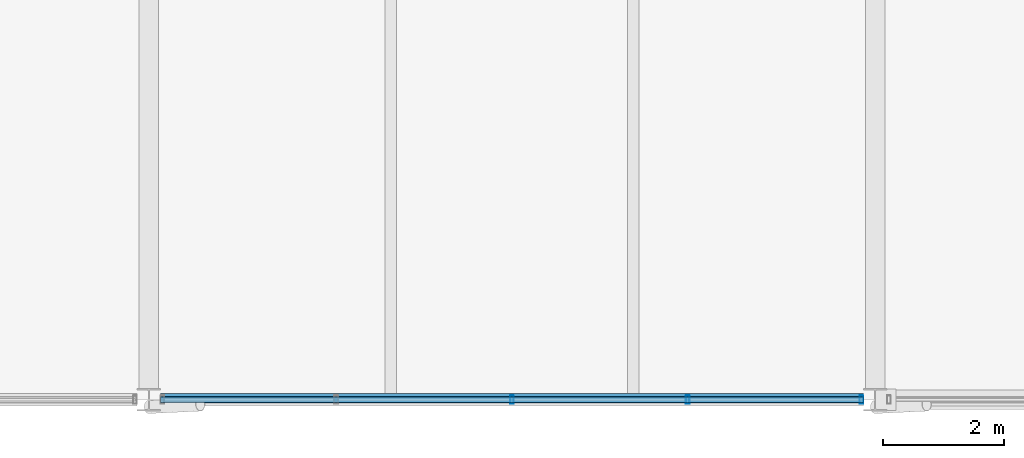
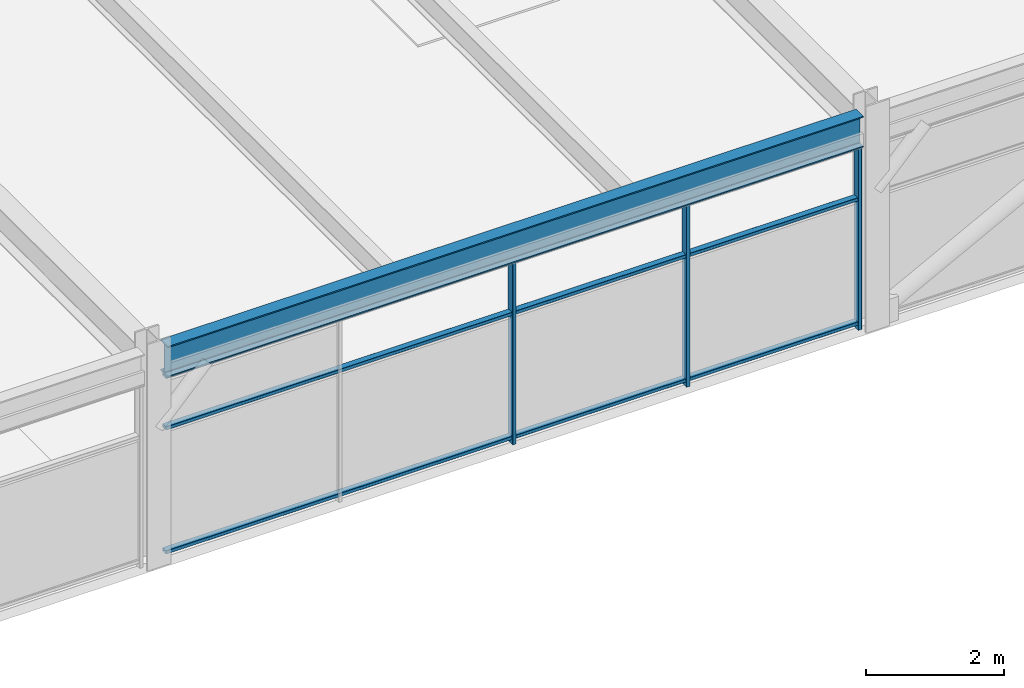
# One storey, part 31 of 52: 6 members, 1 beam, 1 element without a shape of its own.
"""IFC4 building model written with IfcOpenShell, lengths in metres."""

from ifc_helpers import new_model, si_unit, direction, frame, origin, origin_2d, place, context, subcontext, project, spatial, hollow_rectangle, i_section, extrude, material, material_profile, profile_set, type_object, element, aggregate, save


model = new_model("IFC4")

# Units and contexts
model_context = context("Model", 3, precision=1e-05, world=origin(), true_north=direction((0.0, 1.0)))
body_context = subcontext(model_context, "Body", "Model", "MODEL_VIEW")
ifc_project = project(units=[si_unit("LENGTHUNIT", "METRE"), si_unit("AREAUNIT", "SQUARE_METRE"), si_unit("VOLUMEUNIT", "CUBIC_METRE"), si_unit("PLANEANGLEUNIT", "RADIAN"), si_unit("MASSUNIT", "GRAM", prefix="KILO")], contexts=[model_context])

# Site, building, storey
site_placement = place(None, origin())
site = spatial("IfcSite", under=ifc_project, at=site_placement, CompositionType="ELEMENT")
building_placement = place(site_placement, origin())
building = spatial("IfcBuilding", under=site, at=building_placement, Name="Girod Span Mobility Hub", CompositionType="ELEMENT")
storey_placement = place(building_placement, frame((0.0, 0.0, 45.60009765625)))
storey = spatial("IfcBuildingStorey", under=building, at=storey_placement, Name="L11", CompositionType="ELEMENT", Elevation=45.60009765625)

# Beam
ifc_material_1 = material(Name="Steel A992 Grade 50", Category="steel")
ifc_material_profile_1 = material_profile(ifc_material_1, i_section(OverallWidth=0.2119140625, OverallDepth=0.5439453125, WebThickness=0.01318359375, FlangeThickness=0.021240234375, FilletRadius=0.014892578125, at=origin_2d()), Name="W21X83")
ifc_profile_set_1 = profile_set([ifc_material_profile_1], Name="Steel A992 Grade 50")
beam_type = type_object("IfcBeamType", Name="BM-STL-W21X83", PredefinedType="SPANDREL", material=ifc_profile_set_1)
beam_placement = place(storey_placement, frame((108.194091796875, 27.0, 3.5078125), z_axis=(1.0, 0.0, 0.0), x_axis=(0.0, 1.0, 0.0)))
element("IfcBeam", 1, at=beam_placement, inside=storey, type_object=beam_type, Name="Girder 10-11/C L11", PredefinedType="SPANDREL", context=body_context, shape_type="SweptSolid", body=[
    extrude(i_section(OverallWidth=0.2119140625, OverallDepth=0.5439453125, WebThickness=0.01318359375, FlangeThickness=0.021240234375, FilletRadius=0.014892578125, at=origin_2d()), origin(), (0.0, 0.0, 1.0), 11.61181640625),
])

# Curtain wall, members
ifc_material_2 = material(Name="Thermally Broken Anodised Aluminium", Category="aluminium")
curtain_wall_type = type_object("IfcCurtainWallType", Name="CW-1161X324", PredefinedType="USERDEFINED", material=ifc_material_2)
curtain_wall_placement = place(storey_placement, origin())
curtain_wall = element("IfcCurtainWall", 2, at=curtain_wall_placement, inside=storey, type_object=curtain_wall_type, Name="Unitised Curtain Wall CW-L11-S10 L11", ObjectType="UNITISED CURTAIN WALL", PredefinedType="USERDEFINED")
ifc_material_3 = material(Name="Thermally Broken Anodised Aluminium", Category="aluminium")
ifc_material_profile_2 = material_profile(ifc_material_3, hollow_rectangle(XDim=0.139892578125, YDim=0.06005859375, WallThickness=0.00341796875, InnerFilletRadius=0.00341796875, OuterFilletRadius=0.007080078125, at=origin_2d()), Name="CW-ML-60X140")
ifc_profile_set_2 = profile_set([ifc_material_profile_2], Name="Thermally Broken Anodised Aluminium")
member_type_1 = type_object("IfcMemberType", Name="CWM-ML-4", PredefinedType="MULLION", material=ifc_profile_set_2)
member_1_placement = place(storey_placement, frame((114.0, 27.0, 0.0), z_axis=(0.0, 0.0, 1.0), x_axis=(0.0, 1.0, 0.0)))
member_1 = element("IfcMember", 3, at=member_1_placement, type_object=member_type_1, Name="Curtain Wall Mullion CW-L11-S10-M2", PredefinedType="MULLION", context=body_context, shape_type="SweptSolid", body=[
    extrude(hollow_rectangle(XDim=0.139892578125, YDim=0.06005859375, WallThickness=0.00341796875, InnerFilletRadius=0.00341796875, OuterFilletRadius=0.007080078125, at=origin_2d()), origin(), (0.0, 0.0, 1.0), 3.23583984375),
])
member_2_placement = place(storey_placement, frame((116.902587890625, 27.0, 0.0), z_axis=(0.0, 0.0, 1.0), x_axis=(0.0, 1.0, 0.0)))
member_2 = element("IfcMember", 4, at=member_2_placement, type_object=member_type_1, Name="Curtain Wall Mullion CW-L11-S10-M3", PredefinedType="MULLION", context=body_context, shape_type="SweptSolid", body=[
    extrude(hollow_rectangle(XDim=0.139892578125, YDim=0.06005859375, WallThickness=0.00341796875, InnerFilletRadius=0.00341796875, OuterFilletRadius=0.007080078125, at=origin_2d()), origin(), (0.0, 0.0, 1.0), 3.23583984375),
])
member_3_placement = place(storey_placement, frame((119.77294921875, 27.0, 0.0), z_axis=(0.0, 0.0, 1.0), x_axis=(0.0, 1.0, 0.0)))
member_3 = element("IfcMember", 5, at=member_3_placement, type_object=member_type_1, Name="Curtain Wall Mullion CW-L11-S10-M4", PredefinedType="MULLION", context=body_context, shape_type="SweptSolid", body=[
    extrude(hollow_rectangle(XDim=0.139892578125, YDim=0.06005859375, WallThickness=0.00341796875, InnerFilletRadius=0.00341796875, OuterFilletRadius=0.007080078125, at=origin_2d()), origin(), (0.0, 0.0, 1.0), 3.23583984375),
])
ifc_material_4 = material(Name="Thermally Broken Anodised Aluminium", Category="aluminium")
ifc_material_profile_3 = material_profile(ifc_material_4, hollow_rectangle(XDim=0.10498046875, YDim=0.06005859375, WallThickness=0.00341796875, InnerFilletRadius=0.00341796875, OuterFilletRadius=0.007080078125, at=origin_2d()), Name="CW-TR-60X105")
ifc_profile_set_3 = profile_set([ifc_material_profile_3], Name="Thermally Broken Anodised Aluminium")
member_type_2 = type_object("IfcMemberType", Name="CWM-TR-4", PredefinedType="USERDEFINED", material=ifc_profile_set_3)
member_4_placement = place(storey_placement, frame((108.195068359375, 27.0, 0.10986328125), z_axis=(1.0, 0.0, 0.0), x_axis=(0.0, 1.0, 0.0)))
member_4 = element("IfcMember", 6, at=member_4_placement, type_object=member_type_2, Name="Curtain Wall Transom CW-L11-S10-T1", ObjectType="TRANSOM", PredefinedType="USERDEFINED", context=body_context, shape_type="SweptSolid", body=[
    extrude(hollow_rectangle(XDim=0.10498046875, YDim=0.06005859375, WallThickness=0.00341796875, InnerFilletRadius=0.00341796875, OuterFilletRadius=0.007080078125, at=origin_2d()), origin(), (0.0, 0.0, 1.0), 11.60986328125),
])
member_5_placement = place(storey_placement, frame((108.195068359375, 27.0, 2.2998046875), z_axis=(1.0, 0.0, 0.0), x_axis=(0.0, 1.0, 0.0)))
member_5 = element("IfcMember", 7, at=member_5_placement, type_object=member_type_2, Name="Curtain Wall Transom CW-L11-S10-T2", ObjectType="TRANSOM", PredefinedType="USERDEFINED", context=body_context, shape_type="SweptSolid", body=[
    extrude(hollow_rectangle(XDim=0.10498046875, YDim=0.06005859375, WallThickness=0.00341796875, InnerFilletRadius=0.00341796875, OuterFilletRadius=0.007080078125, at=origin_2d()), origin(), (0.0, 0.0, 1.0), 11.60986328125),
])
member_6_placement = place(storey_placement, frame((108.195068359375, 27.0, 3.205810546875), z_axis=(1.0, 0.0, 0.0), x_axis=(0.0, 1.0, 0.0)))
member_6 = element("IfcMember", 8, at=member_6_placement, type_object=member_type_2, Name="Curtain Wall Transom CW-L11-S10-T3", ObjectType="TRANSOM", PredefinedType="USERDEFINED", context=body_context, shape_type="SweptSolid", body=[
    extrude(hollow_rectangle(XDim=0.10498046875, YDim=0.06005859375, WallThickness=0.00341796875, InnerFilletRadius=0.00341796875, OuterFilletRadius=0.007080078125, at=origin_2d()), origin(), (0.0, 0.0, 1.0), 11.60986328125),
])
aggregate(curtain_wall, [member_1, member_2, member_3, member_4, member_5, member_6])

save(model, "model.ifc")
